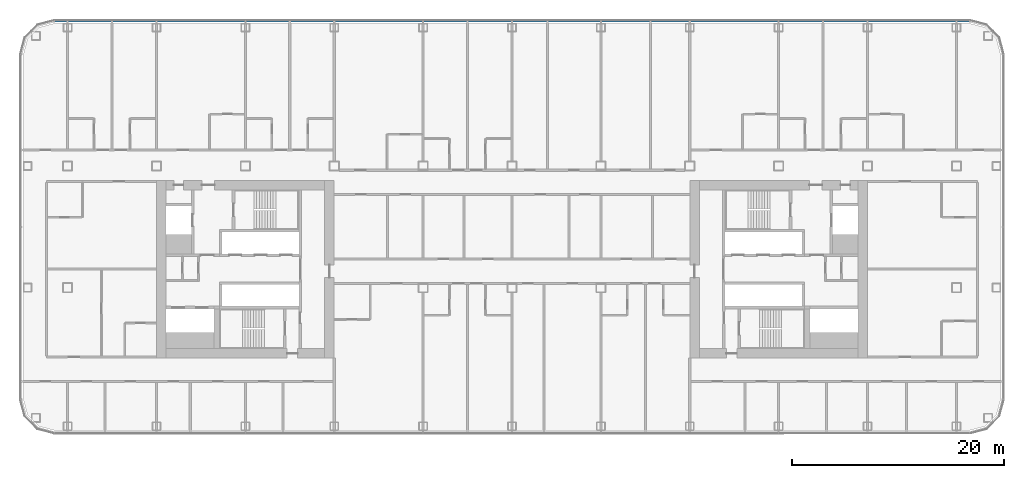
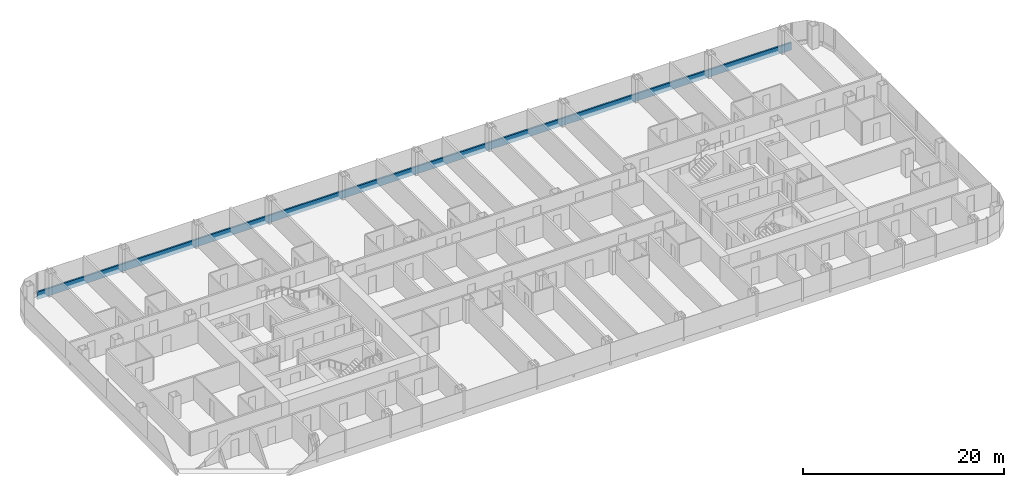
# One storey, part 9 of 29: 1 member, 1 element without a shape of its own.
"""IFC4 building model written with IfcOpenShell, lengths in metres."""

from ifc_helpers import new_model, si_unit, direction, frame, origin, origin_2d, place, context, subcontext, project, spatial, rectangle, extrude, material, layer, layer_set, material_profile, profile_set, type_object, element, aggregate, save


model = new_model("IFC4")

# Units and contexts
model_context = context("Model", 3, precision=1e-05, world=origin(), true_north=direction((0.0, 1.0)))
body_context = subcontext(model_context, "Body", "Model", "MODEL_VIEW")
ifc_project = project(units=[si_unit("LENGTHUNIT", "METRE"), si_unit("AREAUNIT", "SQUARE_METRE"), si_unit("VOLUMEUNIT", "CUBIC_METRE"), si_unit("PLANEANGLEUNIT", "RADIAN"), si_unit("MASSUNIT", "GRAM", prefix="KILO")], contexts=[model_context])

# Site, building, storey
site_placement = place(None, origin())
site = spatial("IfcSite", under=ifc_project, at=site_placement, CompositionType="ELEMENT")
building_placement = place(site_placement, origin())
building = spatial("IfcBuilding", under=site, at=building_placement, Name="Hakoniwa Tower and Hamabe Station Hall", CompositionType="ELEMENT")
storey_placement = place(building_placement, frame((0.0, 0.0, 97.800048828125)))
storey = spatial("IfcBuildingStorey", under=building, at=storey_placement, Name="L27", CompositionType="ELEMENT", Elevation=97.800048828125)

# Curtain wall, member
ifc_material_1 = material(Name="Dark low-e laminated glass", Category="glass")
ifc_layer = layer(ifc_material_1, 0.199951171875)
ifc_layer_set = layer_set([ifc_layer], Name="CW-1 UNITISED GUEST")
curtain_wall_type = type_object("IfcCurtainWallType", Name="CW-1 UNITISED GUEST", PredefinedType="NOTDEFINED", material=ifc_layer_set)
curtain_wall_placement = place(storey_placement, origin())
curtain_wall = element("IfcCurtainWall", 1, at=curtain_wall_placement, inside=storey, type_object=curtain_wall_type, Name="CW-1 curtain wall", PredefinedType="NOTDEFINED")
ifc_material_2 = material(Name="Aluminium 6063-T5 black anodised", Category="aluminium")
ifc_material_profile = material_profile(ifc_material_2, rectangle(XDim=0.199951171875, YDim=0.89990234375, at=origin_2d()), Name="CW SLAB-EDGE BAND 900X200")
ifc_profile_set = profile_set([ifc_material_profile], Name="Aluminium 6063-T5 black anodised")
member_type = type_object("IfcMemberType", Name="CW SLAB-EDGE BAND 900X200", PredefinedType="USERDEFINED", material=ifc_profile_set)
member_placement = place(storey_placement, frame((43.239501953125, 23.449951171875, -0.10009765625), z_axis=(-1.0, 0.0, 0.0), x_axis=(0.0, -1.0, 0.0)))
member = element("IfcMember", 2, at=member_placement, type_object=member_type, Name="CW-1 transom", ObjectType="TRANSOM", PredefinedType="USERDEFINED", context=body_context, shape_type="SweptSolid", body=[
    extrude(rectangle(XDim=0.199951171875, YDim=0.89990234375, at=origin_2d()), origin(), (0.0, 0.0, 1.0), 86.47900390625),
])
aggregate(curtain_wall, [member])

save(model, "model.ifc")
